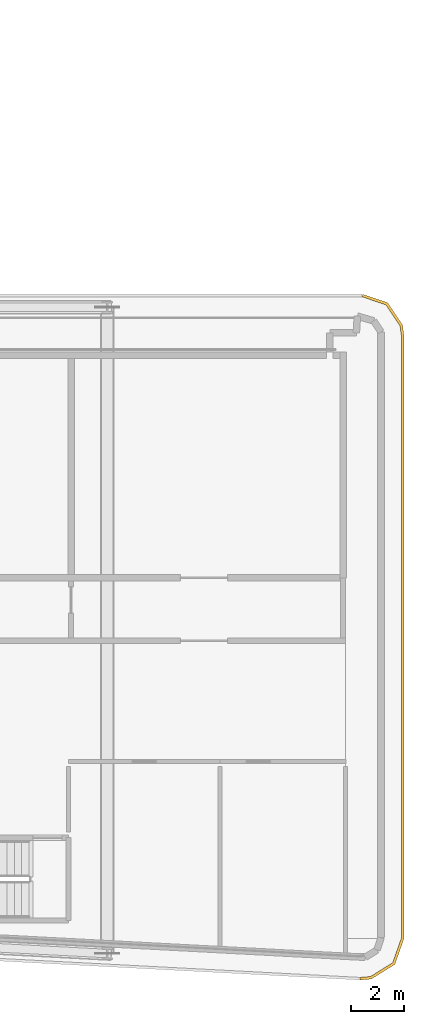
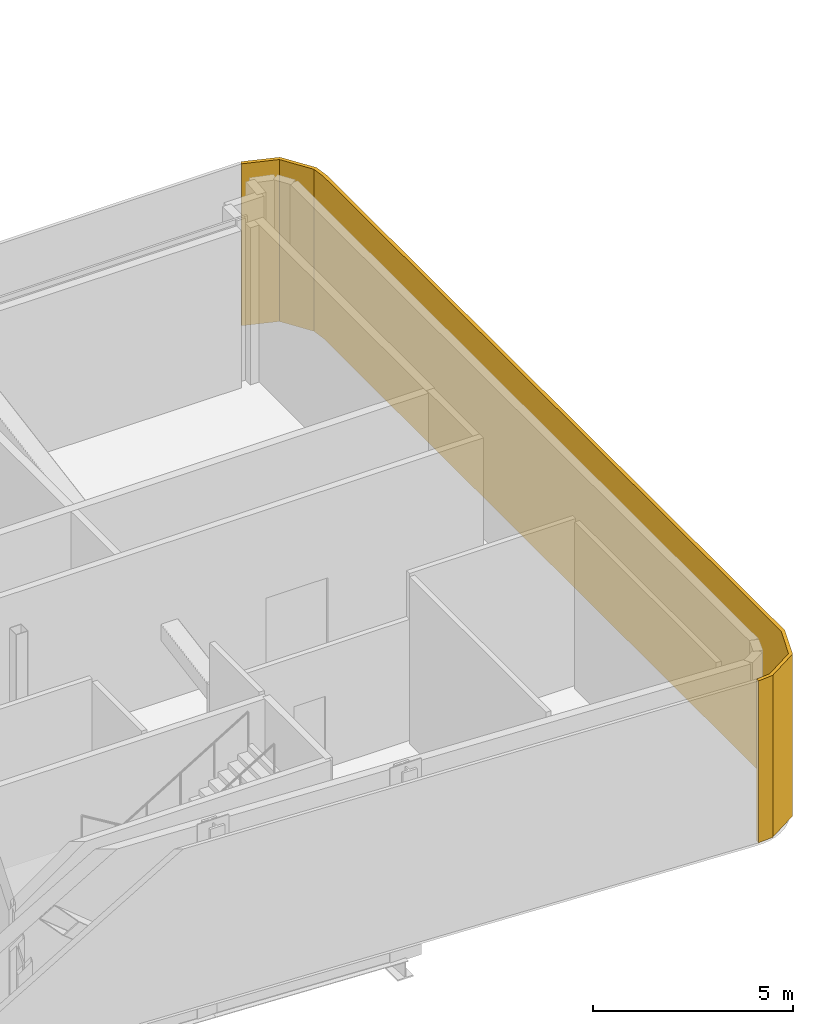
# One storey, part 30 of 30: 1 shading device.
"""IFC4 building model written with IfcOpenShell, lengths in metres."""

from ifc_helpers import new_model, si_unit, direction, frame, origin, place, context, subcontext, project, spatial, polyline, outline, extrude, material, layer, layer_set, type_object, element, save


model = new_model("IFC4")

# Units and contexts
model_context = context("Model", 3, precision=1e-05, world=origin(), true_north=direction((0.0, 1.0)))
body_context = subcontext(model_context, "Body", "Model", "MODEL_VIEW")
ifc_project = project(units=[si_unit("LENGTHUNIT", "METRE"), si_unit("AREAUNIT", "SQUARE_METRE"), si_unit("VOLUMEUNIT", "CUBIC_METRE"), si_unit("PLANEANGLEUNIT", "RADIAN"), si_unit("MASSUNIT", "GRAM", prefix="KILO")], contexts=[model_context])

# Site, building, storey
site_placement = place(None, origin())
site = spatial("IfcSite", under=ifc_project, at=site_placement, CompositionType="ELEMENT")
building_placement = place(site_placement, origin())
building = spatial("IfcBuilding", under=site, at=building_placement, Name="Kheshtan School and Residences Tower", CompositionType="ELEMENT")
storey_placement = place(building_placement, frame((0.0, 0.0, 89.0)))
storey = spatial("IfcBuildingStorey", under=building, at=storey_placement, Name="L20", CompositionType="ELEMENT", Elevation=89.0)

# Shading device
ifc_material = material(Name="Terracotta louvre blades", Category="masonry")
ifc_layer = layer(ifc_material, 0.10009765625)
ifc_layer_set = layer_set([ifc_layer], Name="Plant louvre screen")
shading_device_type = type_object("IfcShadingDeviceType", Name="Plant louvre screen", PredefinedType="JALOUSIE", material=ifc_layer_set)
shading_device_placement = place(storey_placement, origin())
element("IfcShadingDevice", 1, at=shading_device_placement, inside=storey, type_object=shading_device_type, Name="Screen L20 4", PredefinedType="JALOUSIE", context=body_context, shape_type="SweptSolid", body=[
    extrude(outline(polyline([(100.5, 46.0), (101.4130859375, 45.68994140625), (101.948974609375, 44.887939453125), (102.0, 44.5), (102.0, 21.5810546875), (101.669921875, 20.64208984375), (100.823974609375, 20.116943359375), (100.4208984375, 20.0830078125), (100.428955078125, 19.98291015625), (100.85595703125, 20.01904296875), (101.7529296875, 20.575927734375), (102.10009765625, 21.56396484375), (102.10009765625, 44.507080078125), (102.044921875, 44.924072265625), (101.47705078125, 45.77392578125), (100.531982421875, 46.094970703125), (100.5, 46.0)])), origin(), (0.0, 0.0, 1.0), 4.949951171875),
])

save(model, "model.ifc")
